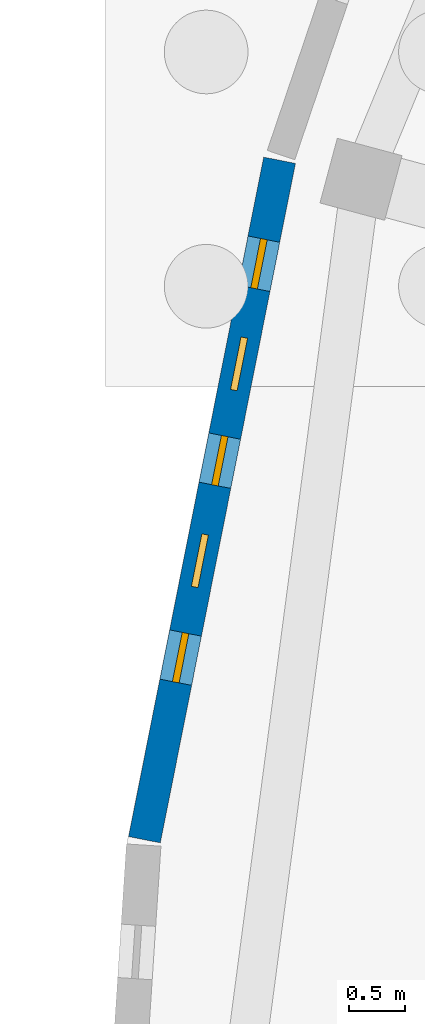
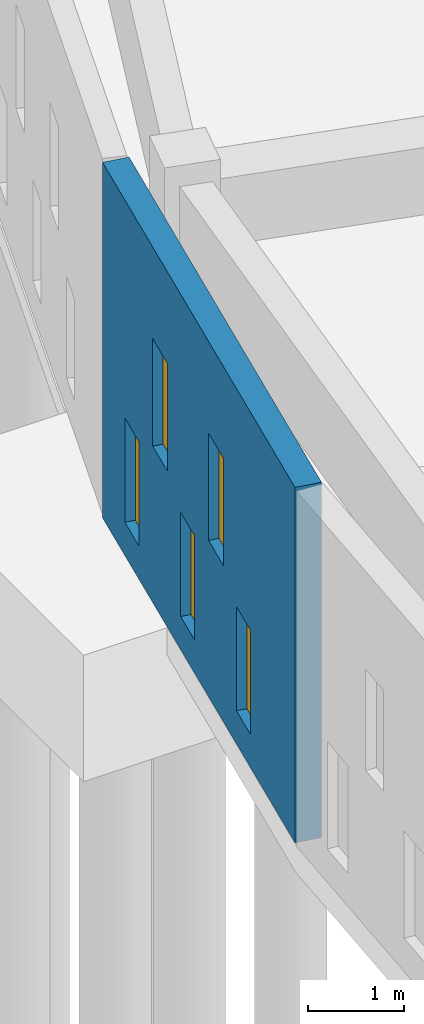
# One storey, part 45 of 84: 5 windows, 1 wall, 5 openings.
"""IFC4 building model written with IfcOpenShell, lengths in metres."""

from ifc_helpers import new_model, si_unit, direction, frame, frame_2d, origin, place, context, subcontext, project, spatial, rectangle, extrude, material, layer, layer_set, type_object, element, fill, save


model = new_model("IFC4")

# Units and contexts
model_context = context("Model", 3, precision=1e-05, world=origin(), true_north=direction((0.0, 1.0)))
body_context = subcontext(model_context, "Body", "Model", "MODEL_VIEW")
ifc_project = project(units=[si_unit("LENGTHUNIT", "METRE"), si_unit("AREAUNIT", "SQUARE_METRE"), si_unit("VOLUMEUNIT", "CUBIC_METRE"), si_unit("PLANEANGLEUNIT", "RADIAN"), si_unit("MASSUNIT", "GRAM", prefix="KILO")], contexts=[model_context])

# Site, building, storey
site_placement = place(None, origin())
site = spatial("IfcSite", under=ifc_project, at=site_placement, CompositionType="ELEMENT")
building_placement = place(site_placement, origin())
building = spatial("IfcBuilding", under=site, at=building_placement, Name="Larkveld Mobility Hub", CompositionType="ELEMENT")
storey_placement = place(building_placement, origin())
storey = spatial("IfcBuildingStorey", under=building, at=storey_placement, Name="L00", CompositionType="ELEMENT", Elevation=0.0)

# Wall, openings, windows
ifc_material_1 = material(Name="Fired clay brick 25 MPa", Category="masonry")
ifc_layer = layer(ifc_material_1, 0.2900390625, Name="Fired clay brick 25 MPa", Category="masonry")
ifc_layer_set = layer_set([ifc_layer], Name="Fired clay brick 25 MPa")
wall_type = type_object("IfcWallType", Name="WL-BRK-290", PredefinedType="USERDEFINED", material=ifc_layer_set)
wall_placement = place(storey_placement, frame((1.77490234375, 60.360107421875, 0.0), z_axis=(0.0, 0.0, 1.0), x_axis=(-0.195019632022, -0.980799338869, 0.0)))
wall = element("IfcWall", 1, at=wall_placement, inside=storey, type_object=wall_type, Name="Drum Woven Open-Bond Brick Chord L00-0021", ObjectType="PERFORATED BRICK SCREEN", PredefinedType="USERDEFINED", context=body_context, shape_type="SweptSolid", body=[
    extrude(rectangle(XDim=6.209228515625, YDim=0.2900390625, at=frame_2d((3.1044921875, 0.0))), origin(), (0.0, 0.0, 1.0), 4.5),
])
opening_1_placement = place(wall_placement, frame((0.719970703125, 0.0, 0.419921875)))
opening_1 = element("IfcOpeningElement", 2, at=opening_1_placement, cuts=wall, Name="Opening W02", PredefinedType="OPENING", context=body_context, shape_type="SweptSolid", body=[
    extrude(rectangle(XDim=0.449951171875, YDim=1.320068359375, at=frame_2d((0.22509765625, 0.66015625))), frame((0.0, 0.155029296875, 0.0), z_axis=(0.0, -1.0, 0.0), x_axis=(1.0, 0.0, 0.0)), (0.0, 0.0, 1.0), 0.31005859375),
])
opening_2_placement = place(wall_placement, frame((2.52001953125, 0.0, 0.419921875)))
opening_2 = element("IfcOpeningElement", 3, at=opening_2_placement, cuts=wall, Name="Opening W02", PredefinedType="OPENING", context=body_context, shape_type="SweptSolid", body=[
    extrude(rectangle(XDim=0.449951171875, YDim=1.320068359375, at=frame_2d((0.22509765625, 0.66015625))), frame((0.0, 0.155029296875, 0.0), z_axis=(0.0, -1.0, 0.0), x_axis=(1.0, 0.0, 0.0)), (0.0, 0.0, 1.0), 0.31005859375),
])
opening_3_placement = place(wall_placement, frame((4.320068359375, 0.0, 0.419921875)))
opening_3 = element("IfcOpeningElement", 4, at=opening_3_placement, cuts=wall, Name="Opening W02", PredefinedType="OPENING", context=body_context, shape_type="SweptSolid", body=[
    extrude(rectangle(XDim=0.449951171875, YDim=1.320068359375, at=frame_2d((0.22509765625, 0.66015625))), frame((0.0, 0.155029296875, 0.0), z_axis=(0.0, -1.0, 0.0), x_axis=(1.0, 0.0, 0.0)), (0.0, 0.0, 1.0), 0.31005859375),
])
opening_4_placement = place(wall_placement, frame((1.6201171875, 0.0, 1.97998046875)))
opening_4 = element("IfcOpeningElement", 5, at=opening_4_placement, cuts=wall, Name="Opening W03", PredefinedType="OPENING", context=body_context, shape_type="SweptSolid", body=[
    extrude(rectangle(XDim=0.47998046875, YDim=1.360107421875, at=frame_2d((0.239990234375, 0.68017578125))), frame((0.0, 0.155029296875, 0.0), z_axis=(0.0, -1.0, 0.0), x_axis=(1.0, 0.0, 0.0)), (0.0, 0.0, 1.0), 0.31005859375),
])
opening_5_placement = place(wall_placement, frame((3.419921875, 0.0, 1.97998046875)))
opening_5 = element("IfcOpeningElement", 6, at=opening_5_placement, cuts=wall, Name="Opening W03", PredefinedType="OPENING", context=body_context, shape_type="SweptSolid", body=[
    extrude(rectangle(XDim=0.47998046875, YDim=1.360107421875, at=frame_2d((0.239990234375, 0.68017578125))), frame((0.0, 0.155029296875, 0.0), z_axis=(0.0, -1.0, 0.0), x_axis=(1.0, 0.0, 0.0)), (0.0, 0.0, 1.0), 0.31005859375),
])
ifc_material_2 = material(Name="Extruded aluminium ventilation grille", Category="aluminium")
window_type_1 = type_object("IfcWindowType", Name="WN-VENT-02", PartitioningType="SINGLE_PANEL", PredefinedType="WINDOW", material=ifc_material_2)
window_1_placement = place(opening_1_placement, origin())
window_1 = element("IfcWindow", 7, at=window_1_placement, inside=storey, type_object=window_type_1, Name="Window W02 (0101)", OverallHeight=1.320068359375, OverallWidth=0.449951171875, PartitioningType="SINGLE_PANEL", PredefinedType="WINDOW", context=body_context, shape_type="SweptSolid", body=[
    extrude(rectangle(XDim=0.449951171875, YDim=1.320068359375, at=frame_2d((0.22509765625, 0.66015625))), frame((0.0, 0.030029296875, 0.0), z_axis=(0.0, -1.0, 0.0), x_axis=(1.0, 0.0, 0.0)), (0.0, 0.0, 1.0), 0.06005859375),
])
fill(opening_1, window_1)
window_2_placement = place(opening_2_placement, origin())
window_2 = element("IfcWindow", 8, at=window_2_placement, inside=storey, type_object=window_type_1, Name="Window W02 (0102)", OverallHeight=1.320068359375, OverallWidth=0.449951171875, PartitioningType="SINGLE_PANEL", PredefinedType="WINDOW", context=body_context, shape_type="SweptSolid", body=[
    extrude(rectangle(XDim=0.449951171875, YDim=1.320068359375, at=frame_2d((0.22509765625, 0.66015625))), frame((0.0, 0.030029296875, 0.0), z_axis=(0.0, -1.0, 0.0), x_axis=(1.0, 0.0, 0.0)), (0.0, 0.0, 1.0), 0.06005859375),
])
fill(opening_2, window_2)
window_3_placement = place(opening_3_placement, origin())
window_3 = element("IfcWindow", 9, at=window_3_placement, inside=storey, type_object=window_type_1, Name="Window W02 (0103)", OverallHeight=1.320068359375, OverallWidth=0.449951171875, PartitioningType="SINGLE_PANEL", PredefinedType="WINDOW", context=body_context, shape_type="SweptSolid", body=[
    extrude(rectangle(XDim=0.449951171875, YDim=1.320068359375, at=frame_2d((0.22509765625, 0.66015625))), frame((0.0, 0.030029296875, 0.0), z_axis=(0.0, -1.0, 0.0), x_axis=(1.0, 0.0, 0.0)), (0.0, 0.0, 1.0), 0.06005859375),
])
fill(opening_3, window_3)
window_type_2 = type_object("IfcWindowType", Name="WN-VENT-03", PartitioningType="SINGLE_PANEL", PredefinedType="WINDOW", material=ifc_material_2)
window_4_placement = place(opening_4_placement, origin())
window_4 = element("IfcWindow", 10, at=window_4_placement, inside=storey, type_object=window_type_2, Name="Window W03 (0104)", OverallHeight=1.360107421875, OverallWidth=0.47998046875, PartitioningType="SINGLE_PANEL", PredefinedType="WINDOW", context=body_context, shape_type="SweptSolid", body=[
    extrude(rectangle(XDim=0.47998046875, YDim=1.360107421875, at=frame_2d((0.239990234375, 0.68017578125))), frame((0.0, 0.030029296875, 0.0), z_axis=(0.0, -1.0, 0.0), x_axis=(1.0, 0.0, 0.0)), (0.0, 0.0, 1.0), 0.06005859375),
])
fill(opening_4, window_4)
window_5_placement = place(opening_5_placement, origin())
window_5 = element("IfcWindow", 11, at=window_5_placement, inside=storey, type_object=window_type_2, Name="Window W03 (0105)", OverallHeight=1.360107421875, OverallWidth=0.47998046875, PartitioningType="SINGLE_PANEL", PredefinedType="WINDOW", context=body_context, shape_type="SweptSolid", body=[
    extrude(rectangle(XDim=0.47998046875, YDim=1.360107421875, at=frame_2d((0.239990234375, 0.68017578125))), frame((0.0, 0.030029296875, 0.0), z_axis=(0.0, -1.0, 0.0), x_axis=(1.0, 0.0, 0.0)), (0.0, 0.0, 1.0), 0.06005859375),
])
fill(opening_5, window_5)

save(model, "model.ifc")
